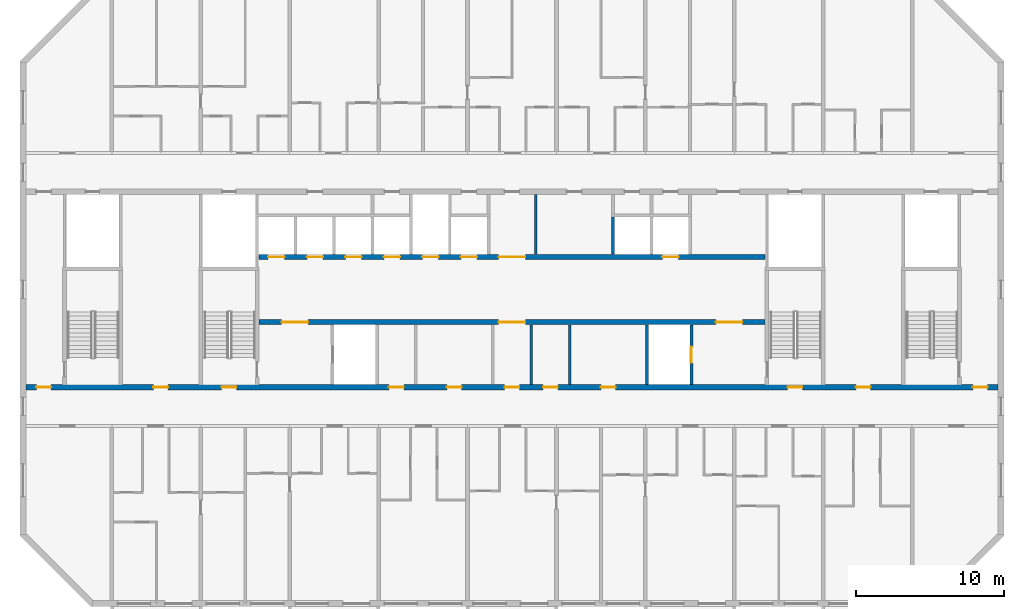
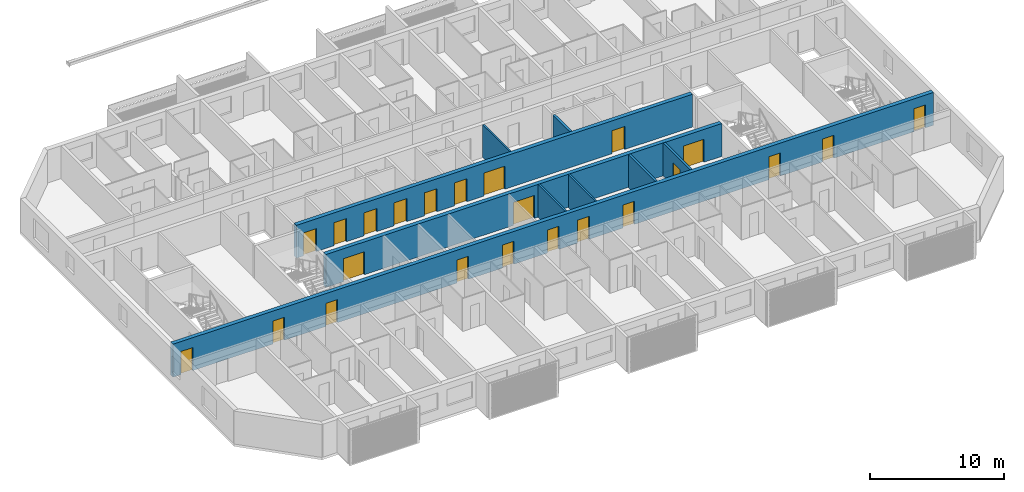
# One storey, part 8 of 20: 23 doors, 9 walls, 23 openings.
"""IFC4 building model written with IfcOpenShell, lengths in metres."""

from ifc_helpers import new_model, si_unit, direction, frame, frame_2d, origin, place, context, subcontext, project, spatial, rectangle, extrude, material, layer, layer_set, type_object, element, fill, save


model = new_model("IFC4")

# Units and contexts
model_context = context("Model", 3, precision=1e-05, world=origin(), true_north=direction((0.0, 1.0)))
body_context = subcontext(model_context, "Body", "Model", "MODEL_VIEW")
ifc_project = project(units=[si_unit("LENGTHUNIT", "METRE"), si_unit("AREAUNIT", "SQUARE_METRE"), si_unit("VOLUMEUNIT", "CUBIC_METRE"), si_unit("PLANEANGLEUNIT", "RADIAN"), si_unit("MASSUNIT", "GRAM", prefix="KILO")], contexts=[model_context])

# Site, building, storey
site_placement = place(None, origin())
site = spatial("IfcSite", under=ifc_project, at=site_placement, CompositionType="ELEMENT")
building_placement = place(site_placement, origin())
building = spatial("IfcBuilding", under=site, at=building_placement, Name="Poui Terraces", CompositionType="ELEMENT")
storey_placement = place(building_placement, frame((0.0, 0.0, 257.699951171875)))
storey = spatial("IfcBuildingStorey", under=building, at=storey_placement, Name="L72", CompositionType="ELEMENT", Elevation=257.699951171875)

# Wall, openings, doors
ifc_material_1 = material(Name="Concrete 50 MPa", Category="concrete")
ifc_layer_1 = layer(ifc_material_1, 0.35009765625)
ifc_layer_set_1 = layer_set([ifc_layer_1], Name="Concrete 50 MPa")
wall_type_1 = type_object("IfcWallType", Name="CORE WALL 350 50 MPA", PredefinedType="SOLIDWALL", material=ifc_layer_set_1)
wall_1_placement = place(storey_placement, frame((33.925048828125, 19.0, 0.0), z_axis=(0.0, 0.0, 1.0), x_axis=(1.0, 0.0, 0.0)))
wall_1 = element("IfcWall", 1, at=wall_1_placement, inside=storey, type_object=wall_type_1, Name="CORE WALL", PredefinedType="SOLIDWALL", context=body_context, shape_type="SweptSolid", body=[
    extrude(rectangle(XDim=34.14990234375, YDim=0.35009765625, at=frame_2d((17.074951171875, 0.0))), origin(), (0.0, 0.0, 1.0), 3.0),
])
opening_1_placement = place(wall_1_placement, frame((16.175048828125, 0.0, 0.0)))
opening_1 = element("IfcOpeningElement", 2, at=opening_1_placement, cuts=wall_1, Name="Opening FDD60", PredefinedType="OPENING", context=body_context, shape_type="SweptSolid", body=[
    extrude(rectangle(XDim=1.800048828125, YDim=2.10009765625, at=frame_2d((0.89990234375, 1.050048828125))), frame((0.0, 0.18505859375, 0.0), z_axis=(0.0, -1.0, 0.0), x_axis=(1.0, 0.0, 0.0)), (0.0, 0.0, 1.0), 0.3701171875),
])
opening_2_placement = place(wall_1_placement, frame((1.52490234375, 0.0, 0.0)))
opening_2 = element("IfcOpeningElement", 3, at=opening_2_placement, cuts=wall_1, Name="Opening FDD60", PredefinedType="OPENING", context=body_context, shape_type="SweptSolid", body=[
    extrude(rectangle(XDim=1.800048828125, YDim=2.10009765625, at=frame_2d((0.89990234375, 1.050048828125))), frame((0.0, 0.18505859375, 0.0), z_axis=(0.0, -1.0, 0.0), x_axis=(1.0, 0.0, 0.0)), (0.0, 0.0, 1.0), 0.3701171875),
])
opening_3_placement = place(wall_1_placement, frame((30.824951171875, 0.0, 0.0)))
opening_3 = element("IfcOpeningElement", 4, at=opening_3_placement, cuts=wall_1, Name="Opening FDD60", PredefinedType="OPENING", context=body_context, shape_type="SweptSolid", body=[
    extrude(rectangle(XDim=1.800048828125, YDim=2.10009765625, at=frame_2d((0.89990234375, 1.050048828125))), frame((0.0, 0.18505859375, 0.0), z_axis=(0.0, -1.0, 0.0), x_axis=(1.0, 0.0, 0.0)), (0.0, 0.0, 1.0), 0.3701171875),
])
ifc_material_2 = material(Name="Steel fire door", Category="steel")
door_type_1 = type_object("IfcDoorType", Name="DOUBLE LOBBY FIRE DOOR 1800 X 2100", OperationType="DOUBLE_DOOR_SINGLE_SWING", PredefinedType="DOOR", material=ifc_material_2)
door_1_placement = place(opening_1_placement, frame((1.800048828125, 0.0, 0.0), z_axis=(0.0, 0.0, 1.0), x_axis=(-1.0, 0.0, 0.0)))
door_1 = element("IfcDoor", 5, at=door_1_placement, inside=storey, type_object=door_type_1, Name="DOUBLE LOBBY FIRE DOOR 099", OperationType="DOUBLE_DOOR_SINGLE_SWING", OverallHeight=2.10009765625, OverallWidth=1.800048828125, PredefinedType="DOOR", context=body_context, shape_type="SweptSolid", body=[
    extrude(rectangle(XDim=1.800048828125, YDim=2.10009765625, at=frame_2d((0.89990234375, 1.050048828125))), frame((0.0, 0.02490234375, 0.0), z_axis=(0.0, -1.0, 0.0), x_axis=(1.0, 0.0, 0.0)), (0.0, 0.0, 1.0), 0.050048828125),
])
fill(opening_1, door_1)
door_2_placement = place(opening_2_placement, origin())
door_2 = element("IfcDoor", 6, at=door_2_placement, inside=storey, type_object=door_type_1, Name="DOUBLE LOBBY FIRE DOOR 101", OperationType="DOUBLE_DOOR_SINGLE_SWING", OverallHeight=2.10009765625, OverallWidth=1.800048828125, PredefinedType="DOOR", context=body_context, shape_type="SweptSolid", body=[
    extrude(rectangle(XDim=1.800048828125, YDim=2.10009765625, at=frame_2d((0.89990234375, 1.050048828125))), frame((0.0, 0.02490234375, 0.0), z_axis=(0.0, -1.0, 0.0), x_axis=(1.0, 0.0, 0.0)), (0.0, 0.0, 1.0), 0.050048828125),
])
fill(opening_2, door_2)
door_3_placement = place(opening_3_placement, origin())
door_3 = element("IfcDoor", 7, at=door_3_placement, inside=storey, type_object=door_type_1, Name="DOUBLE LOBBY FIRE DOOR 108", OperationType="DOUBLE_DOOR_SINGLE_SWING", OverallHeight=2.10009765625, OverallWidth=1.800048828125, PredefinedType="DOOR", context=body_context, shape_type="SweptSolid", body=[
    extrude(rectangle(XDim=1.800048828125, YDim=2.10009765625, at=frame_2d((0.89990234375, 1.050048828125))), frame((0.0, 0.02490234375, 0.0), z_axis=(0.0, -1.0, 0.0), x_axis=(1.0, 0.0, 0.0)), (0.0, 0.0, 1.0), 0.050048828125),
])
fill(opening_3, door_3)

wall_2_placement = place(storey_placement, frame((33.925048828125, 23.39990234375, 0.0), z_axis=(0.0, 0.0, 1.0), x_axis=(1.0, 0.0, 0.0)))
wall_2 = element("IfcWall", 8, at=wall_2_placement, inside=storey, type_object=wall_type_1, Name="CORE WALL", PredefinedType="SOLIDWALL", context=body_context, shape_type="SweptSolid", body=[
    extrude(rectangle(XDim=34.14990234375, YDim=0.35009765625, at=frame_2d((17.074951171875, 0.0))), origin(), (0.0, 0.0, 1.0), 3.0),
])
opening_4_placement = place(wall_2_placement, frame((16.175048828125, 0.0, 0.0)))
opening_4 = element("IfcOpeningElement", 9, at=opening_4_placement, cuts=wall_2, Name="Opening FDD60", PredefinedType="OPENING", context=body_context, shape_type="SweptSolid", body=[
    extrude(rectangle(XDim=1.800048828125, YDim=2.10009765625, at=frame_2d((0.89990234375, 1.050048828125))), frame((0.0, 0.18505859375, 0.0), z_axis=(0.0, -1.0, 0.0), x_axis=(1.0, 0.0, 0.0)), (0.0, 0.0, 1.0), 0.3701171875),
])
opening_5_placement = place(wall_2_placement, frame((0.625, 0.0, 0.0)))
opening_5 = element("IfcOpeningElement", 10, at=opening_5_placement, cuts=wall_2, Name="Opening LD", PredefinedType="OPENING", context=body_context, shape_type="SweptSolid", body=[
    extrude(rectangle(XDim=1.10009765625, YDim=2.10009765625, at=frame_2d((0.550048828125, 1.050048828125))), frame((0.0, 0.18505859375, 0.0), z_axis=(0.0, -1.0, 0.0), x_axis=(1.0, 0.0, 0.0)), (0.0, 0.0, 1.0), 0.3701171875),
])
opening_6_placement = place(wall_2_placement, frame((3.22509765625, 0.0, 0.0)))
opening_6 = element("IfcOpeningElement", 11, at=opening_6_placement, cuts=wall_2, Name="Opening LD", PredefinedType="OPENING", context=body_context, shape_type="SweptSolid", body=[
    extrude(rectangle(XDim=1.10009765625, YDim=2.10009765625, at=frame_2d((0.550048828125, 1.050048828125))), frame((0.0, 0.18505859375, 0.0), z_axis=(0.0, -1.0, 0.0), x_axis=(1.0, 0.0, 0.0)), (0.0, 0.0, 1.0), 0.3701171875),
])
opening_7_placement = place(wall_2_placement, frame((5.824951171875, 0.0, 0.0)))
opening_7 = element("IfcOpeningElement", 12, at=opening_7_placement, cuts=wall_2, Name="Opening LD", PredefinedType="OPENING", context=body_context, shape_type="SweptSolid", body=[
    extrude(rectangle(XDim=1.10009765625, YDim=2.10009765625, at=frame_2d((0.550048828125, 1.050048828125))), frame((0.0, 0.18505859375, 0.0), z_axis=(0.0, -1.0, 0.0), x_axis=(1.0, 0.0, 0.0)), (0.0, 0.0, 1.0), 0.3701171875),
])
opening_8_placement = place(wall_2_placement, frame((8.425048828125, 0.0, 0.0)))
opening_8 = element("IfcOpeningElement", 13, at=opening_8_placement, cuts=wall_2, Name="Opening LD", PredefinedType="OPENING", context=body_context, shape_type="SweptSolid", body=[
    extrude(rectangle(XDim=1.10009765625, YDim=2.10009765625, at=frame_2d((0.550048828125, 1.050048828125))), frame((0.0, 0.18505859375, 0.0), z_axis=(0.0, -1.0, 0.0), x_axis=(1.0, 0.0, 0.0)), (0.0, 0.0, 1.0), 0.3701171875),
])
opening_9_placement = place(wall_2_placement, frame((11.02490234375, 0.0, 0.0)))
opening_9 = element("IfcOpeningElement", 14, at=opening_9_placement, cuts=wall_2, Name="Opening LD", PredefinedType="OPENING", context=body_context, shape_type="SweptSolid", body=[
    extrude(rectangle(XDim=1.10009765625, YDim=2.10009765625, at=frame_2d((0.550048828125, 1.050048828125))), frame((0.0, 0.18505859375, 0.0), z_axis=(0.0, -1.0, 0.0), x_axis=(1.0, 0.0, 0.0)), (0.0, 0.0, 1.0), 0.3701171875),
])
opening_10_placement = place(wall_2_placement, frame((13.625, 0.0, 0.0)))
opening_10 = element("IfcOpeningElement", 15, at=opening_10_placement, cuts=wall_2, Name="Opening LD", PredefinedType="OPENING", context=body_context, shape_type="SweptSolid", body=[
    extrude(rectangle(XDim=1.10009765625, YDim=2.10009765625, at=frame_2d((0.550048828125, 1.050048828125))), frame((0.0, 0.18505859375, 0.0), z_axis=(0.0, -1.0, 0.0), x_axis=(1.0, 0.0, 0.0)), (0.0, 0.0, 1.0), 0.3701171875),
])
opening_11_placement = place(wall_2_placement, frame((27.22509765625, 0.0, 0.0)))
opening_11 = element("IfcOpeningElement", 16, at=opening_11_placement, cuts=wall_2, Name="Opening LD", PredefinedType="OPENING", context=body_context, shape_type="SweptSolid", body=[
    extrude(rectangle(XDim=1.10009765625, YDim=2.10009765625, at=frame_2d((0.550048828125, 1.050048828125))), frame((0.0, 0.18505859375, 0.0), z_axis=(0.0, -1.0, 0.0), x_axis=(1.0, 0.0, 0.0)), (0.0, 0.0, 1.0), 0.3701171875),
])
door_4_placement = place(opening_4_placement, origin())
door_4 = element("IfcDoor", 17, at=door_4_placement, inside=storey, type_object=door_type_1, Name="DOUBLE LOBBY FIRE DOOR 098", OperationType="DOUBLE_DOOR_SINGLE_SWING", OverallHeight=2.10009765625, OverallWidth=1.800048828125, PredefinedType="DOOR", context=body_context, shape_type="SweptSolid", body=[
    extrude(rectangle(XDim=1.800048828125, YDim=2.10009765625, at=frame_2d((0.89990234375, 1.050048828125))), frame((0.0, 0.02490234375, 0.0), z_axis=(0.0, -1.0, 0.0), x_axis=(1.0, 0.0, 0.0)), (0.0, 0.0, 1.0), 0.050048828125),
])
fill(opening_4, door_4)
ifc_material_3 = material(Name="Stainless steel sliding door", Category="steel")
door_type_2 = type_object("IfcDoorType", Name="LIFT LANDING DOOR 1100 X 2100", OperationType="DOUBLE_DOOR_SLIDING", PredefinedType="DOOR", material=ifc_material_3)
door_5_placement = place(opening_5_placement, origin())
door_5 = element("IfcDoor", 18, at=door_5_placement, inside=storey, type_object=door_type_2, Name="LANDING DOOR", OperationType="DOUBLE_DOOR_SLIDING", OverallHeight=2.10009765625, OverallWidth=1.10009765625, PredefinedType="DOOR", context=body_context, shape_type="SweptSolid", body=[
    extrude(rectangle(XDim=1.10009765625, YDim=2.10009765625, at=frame_2d((0.550048828125, 1.050048828125))), frame((0.0, 0.02490234375, 0.0), z_axis=(0.0, -1.0, 0.0), x_axis=(1.0, 0.0, 0.0)), (0.0, 0.0, 1.0), 0.050048828125),
])
fill(opening_5, door_5)
door_6_placement = place(opening_6_placement, origin())
door_6 = element("IfcDoor", 19, at=door_6_placement, inside=storey, type_object=door_type_2, Name="LANDING DOOR", OperationType="DOUBLE_DOOR_SLIDING", OverallHeight=2.10009765625, OverallWidth=1.10009765625, PredefinedType="DOOR", context=body_context, shape_type="SweptSolid", body=[
    extrude(rectangle(XDim=1.10009765625, YDim=2.10009765625, at=frame_2d((0.550048828125, 1.050048828125))), frame((0.0, 0.02490234375, 0.0), z_axis=(0.0, -1.0, 0.0), x_axis=(1.0, 0.0, 0.0)), (0.0, 0.0, 1.0), 0.050048828125),
])
fill(opening_6, door_6)
door_7_placement = place(opening_7_placement, origin())
door_7 = element("IfcDoor", 20, at=door_7_placement, inside=storey, type_object=door_type_2, Name="LANDING DOOR", OperationType="DOUBLE_DOOR_SLIDING", OverallHeight=2.10009765625, OverallWidth=1.10009765625, PredefinedType="DOOR", context=body_context, shape_type="SweptSolid", body=[
    extrude(rectangle(XDim=1.10009765625, YDim=2.10009765625, at=frame_2d((0.550048828125, 1.050048828125))), frame((0.0, 0.02490234375, 0.0), z_axis=(0.0, -1.0, 0.0), x_axis=(1.0, 0.0, 0.0)), (0.0, 0.0, 1.0), 0.050048828125),
])
fill(opening_7, door_7)
door_8_placement = place(opening_8_placement, origin())
door_8 = element("IfcDoor", 21, at=door_8_placement, inside=storey, type_object=door_type_2, Name="LANDING DOOR", OperationType="DOUBLE_DOOR_SLIDING", OverallHeight=2.10009765625, OverallWidth=1.10009765625, PredefinedType="DOOR", context=body_context, shape_type="SweptSolid", body=[
    extrude(rectangle(XDim=1.10009765625, YDim=2.10009765625, at=frame_2d((0.550048828125, 1.050048828125))), frame((0.0, 0.02490234375, 0.0), z_axis=(0.0, -1.0, 0.0), x_axis=(1.0, 0.0, 0.0)), (0.0, 0.0, 1.0), 0.050048828125),
])
fill(opening_8, door_8)
door_9_placement = place(opening_9_placement, origin())
door_9 = element("IfcDoor", 22, at=door_9_placement, inside=storey, type_object=door_type_2, Name="LANDING DOOR", OperationType="DOUBLE_DOOR_SLIDING", OverallHeight=2.10009765625, OverallWidth=1.10009765625, PredefinedType="DOOR", context=body_context, shape_type="SweptSolid", body=[
    extrude(rectangle(XDim=1.10009765625, YDim=2.10009765625, at=frame_2d((0.550048828125, 1.050048828125))), frame((0.0, 0.02490234375, 0.0), z_axis=(0.0, -1.0, 0.0), x_axis=(1.0, 0.0, 0.0)), (0.0, 0.0, 1.0), 0.050048828125),
])
fill(opening_9, door_9)
door_10_placement = place(opening_10_placement, origin())
door_10 = element("IfcDoor", 23, at=door_10_placement, inside=storey, type_object=door_type_2, Name="LANDING DOOR", OperationType="DOUBLE_DOOR_SLIDING", OverallHeight=2.10009765625, OverallWidth=1.10009765625, PredefinedType="DOOR", context=body_context, shape_type="SweptSolid", body=[
    extrude(rectangle(XDim=1.10009765625, YDim=2.10009765625, at=frame_2d((0.550048828125, 1.050048828125))), frame((0.0, 0.02490234375, 0.0), z_axis=(0.0, -1.0, 0.0), x_axis=(1.0, 0.0, 0.0)), (0.0, 0.0, 1.0), 0.050048828125),
])
fill(opening_10, door_10)
door_11_placement = place(opening_11_placement, origin())
door_11 = element("IfcDoor", 24, at=door_11_placement, inside=storey, type_object=door_type_2, Name="LANDING DOOR", OperationType="DOUBLE_DOOR_SLIDING", OverallHeight=2.10009765625, OverallWidth=1.10009765625, PredefinedType="DOOR", context=body_context, shape_type="SweptSolid", body=[
    extrude(rectangle(XDim=1.10009765625, YDim=2.10009765625, at=frame_2d((0.550048828125, 1.050048828125))), frame((0.0, 0.02490234375, 0.0), z_axis=(0.0, -1.0, 0.0), x_axis=(1.0, 0.0, 0.0)), (0.0, 0.0, 1.0), 0.050048828125),
])
fill(opening_11, door_11)

# Walls
ifc_material_4 = material(Name="Fire-rated plasterboard wall")
ifc_layer_2 = layer(ifc_material_4, 0.14990234375)
ifc_layer_set_2 = layer_set([ifc_layer_2], Name="Fire-rated plasterboard wall")
wall_type_2 = type_object("IfcWallType", Name="CORRIDOR WALL 150", PredefinedType="PARTITIONING", material=ifc_layer_set_2)
for number, where, z_axis, x_axis, name in (
    (25, (52.300048828125, 14.784912109375, 0.0), (0.0, 0.0, 1.0), (0.0, 1.0, 0.0), "CORRIDOR WALL 150"),
    (26, (52.60009765625, 23.5849609375, 0.0), (0.0, 0.0, 1.0), (0.0, 1.0, 0.0), "CORRIDOR WALL 150"),
):
    element("IfcWall", number, at=place(storey_placement, frame(where, z_axis=z_axis, x_axis=x_axis)), inside=storey, type_object=wall_type_2, Name=name, PredefinedType="PARTITIONING", context=body_context, shape_type="SweptSolid", body=[
        extrude(rectangle(XDim=4.030029296875, YDim=0.14990234375, at=frame_2d((2.01513671875, 0.0))), origin(), (0.0, 0.0, 1.0), 3.0),
    ])
ifc_material_5 = material(Name="Plasterboard partition")
ifc_layer_3 = layer(ifc_material_5, 0.14990234375)
ifc_layer_set_3 = layer_set([ifc_layer_3], Name="Plasterboard partition")
wall_type_3 = type_object("IfcWallType", Name="PARTITION WALL 150", PredefinedType="PARTITIONING", material=ifc_layer_set_3)
wall_3_placement = place(storey_placement, frame((54.89990234375, 14.784912109375, 0.0), z_axis=(0.0, 0.0, 1.0), x_axis=(0.0, 1.0, 0.0)))
element("IfcWall", 27, at=wall_3_placement, inside=storey, type_object=wall_type_3, Name="PARTITION WALL 150", PredefinedType="PARTITIONING", context=body_context, shape_type="SweptSolid", body=[
    extrude(rectangle(XDim=4.030029296875, YDim=0.14990234375, at=frame_2d((2.01513671875, 0.0))), origin(), (0.0, 0.0, 1.0), 3.0),
])
ifc_material_6 = material(Name="Fire-rated masonry shaft wall", Category="masonry")
ifc_layer_4 = layer(ifc_material_6, 0.199951171875)
ifc_layer_set_4 = layer_set([ifc_layer_4], Name="Fire-rated masonry shaft wall")
wall_type_4 = type_object("IfcWallType", Name="SHAFT WALL 200", PredefinedType="PARTITIONING", material=ifc_layer_set_4)
wall_4_placement = place(storey_placement, frame((57.800048828125, 23.5849609375, 0.0), z_axis=(0.0, 0.0, 1.0), x_axis=(0.0, 1.0, 0.0)))
element("IfcWall", 28, at=wall_4_placement, inside=storey, type_object=wall_type_4, Name="SHAFT WALL 200", PredefinedType="PARTITIONING", context=body_context, shape_type="SweptSolid", body=[
    extrude(rectangle(XDim=2.51513671875, YDim=0.199951171875, at=frame_2d((1.257568359375, 0.0))), origin(), (0.0, 0.0, 1.0), 3.0),
])
wall_5_placement = place(storey_placement, frame((60.10009765625, 14.784912109375, 0.0), z_axis=(0.0, 0.0, 1.0), x_axis=(0.0, 1.0, 0.0)))
element("IfcWall", 29, at=wall_5_placement, inside=storey, type_object=wall_type_4, Name="SHAFT WALL 200", PredefinedType="PARTITIONING", context=body_context, shape_type="SweptSolid", body=[
    extrude(rectangle(XDim=4.030029296875, YDim=0.199951171875, at=frame_2d((2.01513671875, 0.0))), origin(), (0.0, 0.0, 1.0), 3.0),
])

# Wall, opening, door
wall_6_placement = place(storey_placement, frame((63.10009765625, 14.784912109375, 0.0), z_axis=(0.0, 0.0, 1.0), x_axis=(0.0, 1.0, 0.0)))
wall_6 = element("IfcWall", 30, at=wall_6_placement, inside=storey, type_object=wall_type_4, Name="SHAFT WALL 200", PredefinedType="PARTITIONING", context=body_context, shape_type="SweptSolid", body=[
    extrude(rectangle(XDim=4.030029296875, YDim=0.199951171875, at=frame_2d((2.01513671875, 0.0))), origin(), (0.0, 0.0, 1.0), 3.0),
])
opening_12_placement = place(wall_6_placement, frame((1.465087890625, 0.0, 0.0)))
opening_12 = element("IfcOpeningElement", 31, at=opening_12_placement, cuts=wall_6, Name="Opening LD", PredefinedType="OPENING", context=body_context, shape_type="SweptSolid", body=[
    extrude(rectangle(XDim=1.10009765625, YDim=2.10009765625, at=frame_2d((0.550048828125, 1.050048828125))), frame((0.0, 0.10986328125, 0.0), z_axis=(0.0, -1.0, 0.0), x_axis=(1.0, 0.0, 0.0)), (0.0, 0.0, 1.0), 0.219970703125),
])
door_12_placement = place(opening_12_placement, origin())
door_12 = element("IfcDoor", 32, at=door_12_placement, inside=storey, type_object=door_type_2, Name="LANDING DOOR", OperationType="DOUBLE_DOOR_SLIDING", OverallHeight=2.10009765625, OverallWidth=1.10009765625, PredefinedType="DOOR", context=body_context, shape_type="SweptSolid", body=[
    extrude(rectangle(XDim=1.10009765625, YDim=2.10009765625, at=frame_2d((0.550048828125, 1.050048828125))), frame((0.0, 0.02490234375, 0.0), z_axis=(0.0, -1.0, 0.0), x_axis=(1.0, 0.0, 0.0)), (0.0, 0.0, 1.0), 0.050048828125),
])
fill(opening_12, door_12)

# Wall, openings, doors
ifc_layer_5 = layer(ifc_material_1, 0.35009765625)
ifc_layer_set_5 = layer_set([ifc_layer_5], Name="Concrete 50 MPa")
wall_type_5 = type_object("IfcWallType", Name="SPINE WALL 350 50 MPA", PredefinedType="SOLIDWALL", material=ifc_layer_set_5)
wall_7_placement = place(storey_placement, frame((18.199951171875, 14.60009765625, 0.0), z_axis=(0.0, 0.0, 1.0), x_axis=(1.0, 0.0, 0.0)))
wall_7 = element("IfcWall", 33, at=wall_7_placement, inside=storey, type_object=wall_type_5, Name="SPINE WALL", PredefinedType="SOLIDWALL", context=body_context, shape_type="SweptSolid", body=[
    extrude(rectangle(XDim=65.60009765625, YDim=0.35009765625, at=frame_2d((32.800048828125, 0.0))), origin(), (0.0, 0.0, 1.0), 3.0),
])
opening_13_placement = place(wall_7_placement, frame((0.699951171875, 0.0, 0.0)))
opening_13 = element("IfcOpeningElement", 34, at=opening_13_placement, cuts=wall_7, Name="Opening FDL", PredefinedType="OPENING", context=body_context, shape_type="SweptSolid", body=[
    extrude(rectangle(XDim=1.0, YDim=2.10009765625, at=frame_2d((0.5, 1.050048828125))), frame((0.0, 0.18505859375, 0.0), z_axis=(0.0, -1.0, 0.0), x_axis=(1.0, 0.0, 0.0)), (0.0, 0.0, 1.0), 0.3701171875),
])
opening_14_placement = place(wall_7_placement, frame((8.60009765625, 0.0, 0.0)))
opening_14 = element("IfcOpeningElement", 35, at=opening_14_placement, cuts=wall_7, Name="Opening D100", PredefinedType="OPENING", context=body_context, shape_type="SweptSolid", body=[
    extrude(rectangle(XDim=1.0, YDim=2.10009765625, at=frame_2d((0.5, 1.050048828125))), frame((0.0, 0.18505859375, 0.0), z_axis=(0.0, -1.0, 0.0), x_axis=(1.0, 0.0, 0.0)), (0.0, 0.0, 1.0), 0.3701171875),
])
opening_15_placement = place(wall_7_placement, frame((13.199951171875, 0.0, 0.0)))
opening_15 = element("IfcOpeningElement", 36, at=opening_15_placement, cuts=wall_7, Name="Opening FD60S", PredefinedType="OPENING", context=body_context, shape_type="SweptSolid", body=[
    extrude(rectangle(XDim=1.0, YDim=2.10009765625, at=frame_2d((0.5, 1.050048828125))), frame((0.0, 0.18505859375, 0.0), z_axis=(0.0, -1.0, 0.0), x_axis=(1.0, 0.0, 0.0)), (0.0, 0.0, 1.0), 0.3701171875),
])
opening_16_placement = place(wall_7_placement, frame((24.5, 0.0, 0.0)))
opening_16 = element("IfcOpeningElement", 37, at=opening_16_placement, cuts=wall_7, Name="Opening FD60", PredefinedType="OPENING", context=body_context, shape_type="SweptSolid", body=[
    extrude(rectangle(XDim=1.0, YDim=2.10009765625, at=frame_2d((0.5, 1.050048828125))), frame((0.0, 0.18505859375, 0.0), z_axis=(0.0, -1.0, 0.0), x_axis=(1.0, 0.0, 0.0)), (0.0, 0.0, 1.0), 0.3701171875),
])
opening_17_placement = place(wall_7_placement, frame((28.39990234375, 0.0, 0.0)))
opening_17 = element("IfcOpeningElement", 38, at=opening_17_placement, cuts=wall_7, Name="Opening FD60", PredefinedType="OPENING", context=body_context, shape_type="SweptSolid", body=[
    extrude(rectangle(XDim=1.0, YDim=2.10009765625, at=frame_2d((0.5, 1.050048828125))), frame((0.0, 0.18505859375, 0.0), z_axis=(0.0, -1.0, 0.0), x_axis=(1.0, 0.0, 0.0)), (0.0, 0.0, 1.0), 0.3701171875),
])
opening_18_placement = place(wall_7_placement, frame((32.300048828125, 0.0, 0.0)))
opening_18 = element("IfcOpeningElement", 39, at=opening_18_placement, cuts=wall_7, Name="Opening FDL", PredefinedType="OPENING", context=body_context, shape_type="SweptSolid", body=[
    extrude(rectangle(XDim=1.0, YDim=2.10009765625, at=frame_2d((0.5, 1.050048828125))), frame((0.0, 0.18505859375, 0.0), z_axis=(0.0, -1.0, 0.0), x_axis=(1.0, 0.0, 0.0)), (0.0, 0.0, 1.0), 0.3701171875),
])
opening_19_placement = place(wall_7_placement, frame((34.89990234375, 0.0, 0.0)))
opening_19 = element("IfcOpeningElement", 40, at=opening_19_placement, cuts=wall_7, Name="Opening FD60", PredefinedType="OPENING", context=body_context, shape_type="SweptSolid", body=[
    extrude(rectangle(XDim=1.0, YDim=2.10009765625, at=frame_2d((0.5, 1.050048828125))), frame((0.0, 0.18505859375, 0.0), z_axis=(0.0, -1.0, 0.0), x_axis=(1.0, 0.0, 0.0)), (0.0, 0.0, 1.0), 0.3701171875),
])
opening_20_placement = place(wall_7_placement, frame((38.800048828125, 0.0, 0.0)))
opening_20 = element("IfcOpeningElement", 41, at=opening_20_placement, cuts=wall_7, Name="Opening FD60", PredefinedType="OPENING", context=body_context, shape_type="SweptSolid", body=[
    extrude(rectangle(XDim=1.0, YDim=2.10009765625, at=frame_2d((0.5, 1.050048828125))), frame((0.0, 0.18505859375, 0.0), z_axis=(0.0, -1.0, 0.0), x_axis=(1.0, 0.0, 0.0)), (0.0, 0.0, 1.0), 0.3701171875),
])
opening_21_placement = place(wall_7_placement, frame((51.39990234375, 0.0, 0.0)))
opening_21 = element("IfcOpeningElement", 42, at=opening_21_placement, cuts=wall_7, Name="Opening FD60S", PredefinedType="OPENING", context=body_context, shape_type="SweptSolid", body=[
    extrude(rectangle(XDim=1.0, YDim=2.10009765625, at=frame_2d((0.5, 1.050048828125))), frame((0.0, 0.18505859375, 0.0), z_axis=(0.0, -1.0, 0.0), x_axis=(1.0, 0.0, 0.0)), (0.0, 0.0, 1.0), 0.3701171875),
])
opening_22_placement = place(wall_7_placement, frame((56.0, 0.0, 0.0)))
opening_22 = element("IfcOpeningElement", 43, at=opening_22_placement, cuts=wall_7, Name="Opening D100", PredefinedType="OPENING", context=body_context, shape_type="SweptSolid", body=[
    extrude(rectangle(XDim=1.0, YDim=2.10009765625, at=frame_2d((0.5, 1.050048828125))), frame((0.0, 0.18505859375, 0.0), z_axis=(0.0, -1.0, 0.0), x_axis=(1.0, 0.0, 0.0)), (0.0, 0.0, 1.0), 0.3701171875),
])
opening_23_placement = place(wall_7_placement, frame((63.89990234375, 0.0, 0.0)))
opening_23 = element("IfcOpeningElement", 44, at=opening_23_placement, cuts=wall_7, Name="Opening FDL", PredefinedType="OPENING", context=body_context, shape_type="SweptSolid", body=[
    extrude(rectangle(XDim=1.0, YDim=2.10009765625, at=frame_2d((0.5, 1.050048828125))), frame((0.0, 0.18505859375, 0.0), z_axis=(0.0, -1.0, 0.0), x_axis=(1.0, 0.0, 0.0)), (0.0, 0.0, 1.0), 0.3701171875),
])
ifc_material_7 = material(Name="Solid core timber door", Category="wood")
door_type_3 = type_object("IfcDoorType", Name="ACCESSIBLE INTERNAL DOOR 1000 X 2100", OperationType="NOTDEFINED", PredefinedType="DOOR", material=ifc_material_7)
door_13_placement = place(opening_14_placement, frame((1.0, 0.0, 0.0), z_axis=(0.0, 0.0, 1.0), x_axis=(-1.0, 0.0, 0.0)))
door_13 = element("IfcDoor", 45, at=door_13_placement, inside=storey, type_object=door_type_3, Name="ACCESSIBLE INTERNAL DOOR 016", OperationType="SINGLE_SWING_RIGHT", OverallHeight=2.10009765625, OverallWidth=1.0, PredefinedType="DOOR", context=body_context, shape_type="SweptSolid", body=[
    extrude(rectangle(XDim=1.0, YDim=2.10009765625, at=frame_2d((0.5, 1.050048828125))), frame((0.0, 0.02490234375, 0.0), z_axis=(0.0, -1.0, 0.0), x_axis=(1.0, 0.0, 0.0)), (0.0, 0.0, 1.0), 0.050048828125),
])
fill(opening_14, door_13)
door_14_placement = place(opening_22_placement, frame((1.0, 0.0, 0.0), z_axis=(0.0, 0.0, 1.0), x_axis=(-1.0, 0.0, 0.0)))
door_14 = element("IfcDoor", 46, at=door_14_placement, inside=storey, type_object=door_type_3, Name="ACCESSIBLE INTERNAL DOOR 024", OperationType="SINGLE_SWING_LEFT", OverallHeight=2.10009765625, OverallWidth=1.0, PredefinedType="DOOR", context=body_context, shape_type="SweptSolid", body=[
    extrude(rectangle(XDim=1.0, YDim=2.10009765625, at=frame_2d((0.5, 1.050048828125))), frame((0.0, 0.02490234375, 0.0), z_axis=(0.0, -1.0, 0.0), x_axis=(1.0, 0.0, 0.0)), (0.0, 0.0, 1.0), 0.050048828125),
])
fill(opening_22, door_14)
door_type_4 = type_object("IfcDoorType", Name="LOBBY FIRE DOOR 1000 X 2100", OperationType="NOTDEFINED", PredefinedType="DOOR", material=ifc_material_2)
door_15_placement = place(opening_13_placement, frame((1.0, 0.0, 0.0), z_axis=(0.0, 0.0, 1.0), x_axis=(-1.0, 0.0, 0.0)))
door_15 = element("IfcDoor", 47, at=door_15_placement, inside=storey, type_object=door_type_4, Name="LOBBY FIRE DOOR 015", OperationType="SINGLE_SWING_RIGHT", OverallHeight=2.10009765625, OverallWidth=1.0, PredefinedType="DOOR", context=body_context, shape_type="SweptSolid", body=[
    extrude(rectangle(XDim=1.0, YDim=2.10009765625, at=frame_2d((0.5, 1.050048828125))), frame((0.0, 0.02490234375, 0.0), z_axis=(0.0, -1.0, 0.0), x_axis=(1.0, 0.0, 0.0)), (0.0, 0.0, 1.0), 0.050048828125),
])
fill(opening_13, door_15)
door_16_placement = place(opening_18_placement, frame((1.0, 0.0, 0.0), z_axis=(0.0, 0.0, 1.0), x_axis=(-1.0, 0.0, 0.0)))
door_16 = element("IfcDoor", 48, at=door_16_placement, inside=storey, type_object=door_type_4, Name="LOBBY FIRE DOOR 020", OperationType="SINGLE_SWING_LEFT", OverallHeight=2.10009765625, OverallWidth=1.0, PredefinedType="DOOR", context=body_context, shape_type="SweptSolid", body=[
    extrude(rectangle(XDim=1.0, YDim=2.10009765625, at=frame_2d((0.5, 1.050048828125))), frame((0.0, 0.02490234375, 0.0), z_axis=(0.0, -1.0, 0.0), x_axis=(1.0, 0.0, 0.0)), (0.0, 0.0, 1.0), 0.050048828125),
])
fill(opening_18, door_16)
door_17_placement = place(opening_23_placement, frame((1.0, 0.0, 0.0), z_axis=(0.0, 0.0, 1.0), x_axis=(-1.0, 0.0, 0.0)))
door_17 = element("IfcDoor", 49, at=door_17_placement, inside=storey, type_object=door_type_4, Name="LOBBY FIRE DOOR 025", OperationType="SINGLE_SWING_LEFT", OverallHeight=2.10009765625, OverallWidth=1.0, PredefinedType="DOOR", context=body_context, shape_type="SweptSolid", body=[
    extrude(rectangle(XDim=1.0, YDim=2.10009765625, at=frame_2d((0.5, 1.050048828125))), frame((0.0, 0.02490234375, 0.0), z_axis=(0.0, -1.0, 0.0), x_axis=(1.0, 0.0, 0.0)), (0.0, 0.0, 1.0), 0.050048828125),
])
fill(opening_23, door_17)
door_type_5 = type_object("IfcDoorType", Name="SERVICE ROOM FIRE DOOR 1000 X 2100", OperationType="NOTDEFINED", PredefinedType="DOOR", material=ifc_material_2)
door_18_placement = place(opening_16_placement, frame((1.0, 0.0, 0.0), z_axis=(0.0, 0.0, 1.0), x_axis=(-1.0, 0.0, 0.0)))
door_18 = element("IfcDoor", 50, at=door_18_placement, inside=storey, type_object=door_type_5, Name="SERVICE ROOM FIRE DOOR 018", OperationType="SINGLE_SWING_LEFT", OverallHeight=2.10009765625, OverallWidth=1.0, PredefinedType="DOOR", context=body_context, shape_type="SweptSolid", body=[
    extrude(rectangle(XDim=1.0, YDim=2.10009765625, at=frame_2d((0.5, 1.050048828125))), frame((0.0, 0.02490234375, 0.0), z_axis=(0.0, -1.0, 0.0), x_axis=(1.0, 0.0, 0.0)), (0.0, 0.0, 1.0), 0.050048828125),
])
fill(opening_16, door_18)
door_19_placement = place(opening_17_placement, frame((1.0, 0.0, 0.0), z_axis=(0.0, 0.0, 1.0), x_axis=(-1.0, 0.0, 0.0)))
door_19 = element("IfcDoor", 51, at=door_19_placement, inside=storey, type_object=door_type_5, Name="SERVICE ROOM FIRE DOOR 019", OperationType="SINGLE_SWING_RIGHT", OverallHeight=2.10009765625, OverallWidth=1.0, PredefinedType="DOOR", context=body_context, shape_type="SweptSolid", body=[
    extrude(rectangle(XDim=1.0, YDim=2.10009765625, at=frame_2d((0.5, 1.050048828125))), frame((0.0, 0.02490234375, 0.0), z_axis=(0.0, -1.0, 0.0), x_axis=(1.0, 0.0, 0.0)), (0.0, 0.0, 1.0), 0.050048828125),
])
fill(opening_17, door_19)
door_20_placement = place(opening_19_placement, frame((1.0, 0.0, 0.0), z_axis=(0.0, 0.0, 1.0), x_axis=(-1.0, 0.0, 0.0)))
door_20 = element("IfcDoor", 52, at=door_20_placement, inside=storey, type_object=door_type_5, Name="SERVICE ROOM FIRE DOOR 021", OperationType="SINGLE_SWING_LEFT", OverallHeight=2.10009765625, OverallWidth=1.0, PredefinedType="DOOR", context=body_context, shape_type="SweptSolid", body=[
    extrude(rectangle(XDim=1.0, YDim=2.10009765625, at=frame_2d((0.5, 1.050048828125))), frame((0.0, 0.02490234375, 0.0), z_axis=(0.0, -1.0, 0.0), x_axis=(1.0, 0.0, 0.0)), (0.0, 0.0, 1.0), 0.050048828125),
])
fill(opening_19, door_20)
door_21_placement = place(opening_20_placement, frame((1.0, 0.0, 0.0), z_axis=(0.0, 0.0, 1.0), x_axis=(-1.0, 0.0, 0.0)))
door_21 = element("IfcDoor", 53, at=door_21_placement, inside=storey, type_object=door_type_5, Name="SERVICE ROOM FIRE DOOR 022", OperationType="SINGLE_SWING_RIGHT", OverallHeight=2.10009765625, OverallWidth=1.0, PredefinedType="DOOR", context=body_context, shape_type="SweptSolid", body=[
    extrude(rectangle(XDim=1.0, YDim=2.10009765625, at=frame_2d((0.5, 1.050048828125))), frame((0.0, 0.02490234375, 0.0), z_axis=(0.0, -1.0, 0.0), x_axis=(1.0, 0.0, 0.0)), (0.0, 0.0, 1.0), 0.050048828125),
])
fill(opening_20, door_21)
door_type_6 = type_object("IfcDoorType", Name="STAIR DOOR 1000 X 2100", OperationType="NOTDEFINED", PredefinedType="DOOR", material=ifc_material_2)
door_22_placement = place(opening_15_placement, origin())
door_22 = element("IfcDoor", 54, at=door_22_placement, inside=storey, type_object=door_type_6, Name="STAIR DOOR 017", OperationType="SINGLE_SWING_RIGHT", OverallHeight=2.10009765625, OverallWidth=1.0, PredefinedType="DOOR", context=body_context, shape_type="SweptSolid", body=[
    extrude(rectangle(XDim=1.0, YDim=2.10009765625, at=frame_2d((0.5, 1.050048828125))), frame((0.0, 0.02490234375, 0.0), z_axis=(0.0, -1.0, 0.0), x_axis=(1.0, 0.0, 0.0)), (0.0, 0.0, 1.0), 0.050048828125),
])
fill(opening_15, door_22)
door_23_placement = place(opening_21_placement, origin())
door_23 = element("IfcDoor", 55, at=door_23_placement, inside=storey, type_object=door_type_6, Name="STAIR DOOR 023", OperationType="SINGLE_SWING_RIGHT", OverallHeight=2.10009765625, OverallWidth=1.0, PredefinedType="DOOR", context=body_context, shape_type="SweptSolid", body=[
    extrude(rectangle(XDim=1.0, YDim=2.10009765625, at=frame_2d((0.5, 1.050048828125))), frame((0.0, 0.02490234375, 0.0), z_axis=(0.0, -1.0, 0.0), x_axis=(1.0, 0.0, 0.0)), (0.0, 0.0, 1.0), 0.050048828125),
])
fill(opening_21, door_23)

save(model, "model.ifc")
